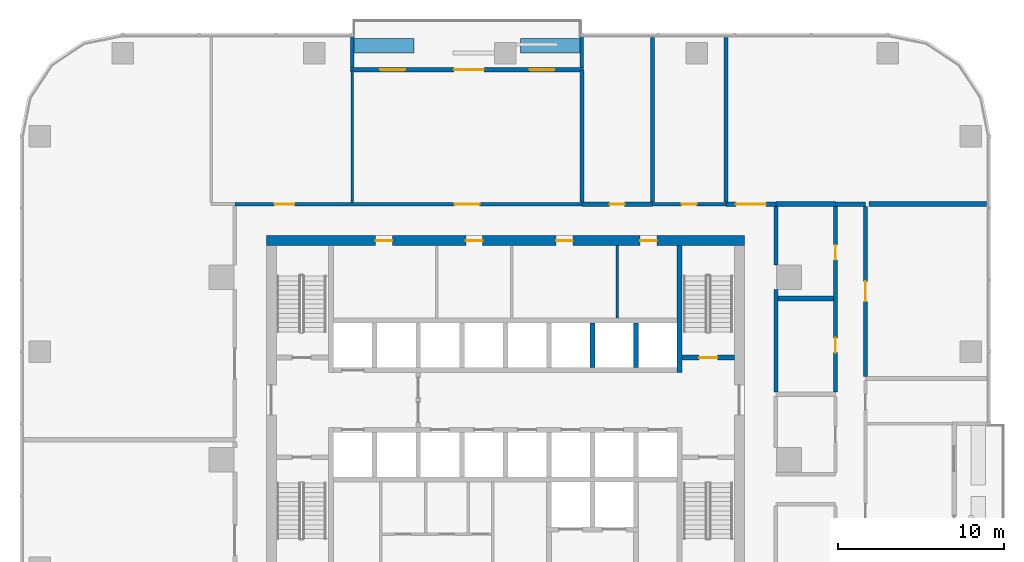
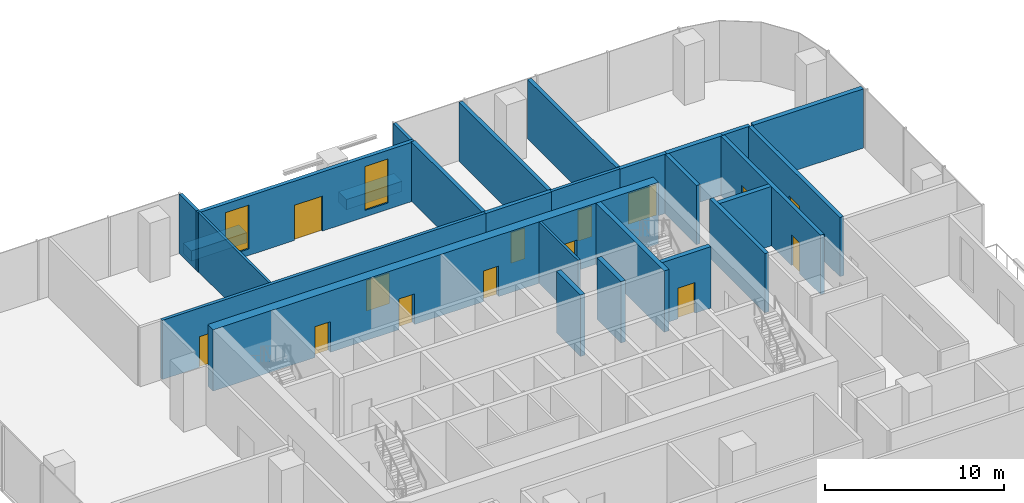
# One storey, part 10 of 14: 27 walls, 14 doors, 2 windows, 16 openings.
"""IFC4 building model written with IfcOpenShell, lengths in metres."""

from ifc_helpers import new_model, si_unit, direction, frame, frame_2d, origin, place, context, subcontext, project, spatial, rectangle, extrude, material, layer, layer_set, type_object, element, fill, save


model = new_model("IFC4")

# Units and contexts
model_context = context("Model", 3, precision=1e-05, world=origin(), true_north=direction((0.0, 1.0)))
body_context = subcontext(model_context, "Body", "Model", "MODEL_VIEW")
ifc_project = project(units=[si_unit("LENGTHUNIT", "METRE"), si_unit("AREAUNIT", "SQUARE_METRE"), si_unit("VOLUMEUNIT", "CUBIC_METRE"), si_unit("PLANEANGLEUNIT", "RADIAN"), si_unit("MASSUNIT", "GRAM", prefix="KILO")], contexts=[model_context])

# Site, building, storey
site_placement = place(None, origin())
site = spatial("IfcSite", under=ifc_project, at=site_placement, CompositionType="ELEMENT")
building_placement = place(site_placement, origin())
building = spatial("IfcBuilding", under=site, at=building_placement, Name="Mopane Tessera Tower", CompositionType="ELEMENT")
storey_placement = place(building_placement, frame((0.0, 0.0, 130.60009765625)))
storey = spatial("IfcBuildingStorey", under=building, at=storey_placement, Name="L26", CompositionType="ELEMENT", Elevation=130.60009765625)

# Wall
ifc_material_1 = material(Name="Fire-rated gypsum board partition")
ifc_layer_1 = layer(ifc_material_1, 0.14990234375)
ifc_layer_set_1 = layer_set([ifc_layer_1], Name="Fire-rated gypsum board partition")
wall_type_1 = type_object("IfcWallType", Name="Core room partition 150 mm", PredefinedType="PARTITIONING", material=ifc_layer_set_1)
wall_1_placement = place(storey_placement, frame((6.75, 8.550048828125, 0.0), z_axis=(0.0, 0.0, 1.0), x_axis=(0.0, 1.0, 0.0)))
element("IfcWall", 1, at=wall_1_placement, inside=storey, type_object=wall_type_1, Name="L26 Room partition", PredefinedType="PARTITIONING", context=body_context, shape_type="SweptSolid", body=[
    extrude(rectangle(XDim=4.349853515625, YDim=0.14990234375, at=frame_2d((2.1748046875, 0.0))), origin(), (0.0, 0.0, 1.0), 4.199951171875),
])

# Wall, openings, doors
ifc_material_2 = material(Name="Concrete C70/85", Category="concrete")
ifc_layer_2 = layer(ifc_material_2, 0.60009765625)
ifc_layer_set_2 = layer_set([ifc_layer_2], Name="Concrete C70/85")
wall_type_2 = type_object("IfcWallType", Name="Core shear wall 600 mm", PredefinedType="SHEAR", material=ifc_layer_set_2)
wall_2_placement = place(storey_placement, frame((-14.39990234375, 13.199951171875, 0.0), z_axis=(0.0, 0.0, 1.0), x_axis=(1.0, 0.0, 0.0)))
wall_2 = element("IfcWall", 2, at=wall_2_placement, inside=storey, type_object=wall_type_2, Name="L26 Core wall north", PredefinedType="SHEAR", context=body_context, shape_type="SweptSolid", body=[
    extrude(rectangle(XDim=28.7998046875, YDim=0.60009765625, at=frame_2d((14.39990234375, 0.0))), origin(), (0.0, 0.0, 1.0), 4.199951171875),
])
opening_1_placement = place(wall_2_placement, frame((6.58740234375, 0.0, 0.0)))
opening_1 = element("IfcOpeningElement", 3, at=opening_1_placement, cuts=wall_2, Name="Opening RD1", PredefinedType="OPENING", context=body_context, shape_type="SweptSolid", body=[
    extrude(rectangle(XDim=1.0, YDim=2.10009765625, at=frame_2d((0.5, 1.050048828125))), frame((0.0, 0.31201171875, 0.0), z_axis=(0.0, -1.0, 0.0), x_axis=(1.0, 0.0, 0.0)), (0.0, 0.0, 1.0), 0.6240234375),
])
opening_2_placement = place(wall_2_placement, frame((12.02490234375, 0.0, 0.0)))
opening_2 = element("IfcOpeningElement", 4, at=opening_2_placement, cuts=wall_2, Name="Opening RD1", PredefinedType="OPENING", context=body_context, shape_type="SweptSolid", body=[
    extrude(rectangle(XDim=1.0, YDim=2.10009765625, at=frame_2d((0.5, 1.050048828125))), frame((0.0, 0.31201171875, 0.0), z_axis=(0.0, -1.0, 0.0), x_axis=(1.0, 0.0, 0.0)), (0.0, 0.0, 1.0), 0.6240234375),
])
opening_3_placement = place(wall_2_placement, frame((17.46240234375, 0.0, 0.0)))
opening_3 = element("IfcOpeningElement", 5, at=opening_3_placement, cuts=wall_2, Name="Opening RD1", PredefinedType="OPENING", context=body_context, shape_type="SweptSolid", body=[
    extrude(rectangle(XDim=1.0, YDim=2.10009765625, at=frame_2d((0.5, 1.050048828125))), frame((0.0, 0.31201171875, 0.0), z_axis=(0.0, -1.0, 0.0), x_axis=(1.0, 0.0, 0.0)), (0.0, 0.0, 1.0), 0.6240234375),
])
opening_4_placement = place(wall_2_placement, frame((22.52490234375, 0.0, 0.0)))
opening_4 = element("IfcOpeningElement", 6, at=opening_4_placement, cuts=wall_2, Name="Opening RD1", PredefinedType="OPENING", context=body_context, shape_type="SweptSolid", body=[
    extrude(rectangle(XDim=1.0, YDim=2.10009765625, at=frame_2d((0.5, 1.050048828125))), frame((0.0, 0.31201171875, 0.0), z_axis=(0.0, -1.0, 0.0), x_axis=(1.0, 0.0, 0.0)), (0.0, 0.0, 1.0), 0.6240234375),
])
ifc_material_3 = material(Name="Timber door", Category="wood")
door_type_1 = type_object("IfcDoorType", Name="Core room door 1000 x 2100", OperationType="SINGLE_SWING_LEFT", PredefinedType="DOOR", material=ifc_material_3)
door_1_placement = place(opening_1_placement, origin())
door_1 = element("IfcDoor", 7, at=door_1_placement, inside=storey, type_object=door_type_1, Name="L26 Room door", OperationType="SINGLE_SWING_LEFT", OverallHeight=2.10009765625, OverallWidth=1.0, PredefinedType="DOOR", context=body_context, shape_type="SweptSolid", body=[
    extrude(rectangle(XDim=1.0, YDim=2.10009765625, at=frame_2d((0.5, 1.050048828125))), frame((0.0, 0.02490234375, 0.0), z_axis=(0.0, -1.0, 0.0), x_axis=(1.0, 0.0, 0.0)), (0.0, 0.0, 1.0), 0.050048828125),
])
fill(opening_1, door_1)
door_2_placement = place(opening_2_placement, origin())
door_2 = element("IfcDoor", 8, at=door_2_placement, inside=storey, type_object=door_type_1, Name="L26 Room door", OperationType="SINGLE_SWING_LEFT", OverallHeight=2.10009765625, OverallWidth=1.0, PredefinedType="DOOR", context=body_context, shape_type="SweptSolid", body=[
    extrude(rectangle(XDim=1.0, YDim=2.10009765625, at=frame_2d((0.5, 1.050048828125))), frame((0.0, 0.02490234375, 0.0), z_axis=(0.0, -1.0, 0.0), x_axis=(1.0, 0.0, 0.0)), (0.0, 0.0, 1.0), 0.050048828125),
])
fill(opening_2, door_2)
door_3_placement = place(opening_3_placement, origin())
door_3 = element("IfcDoor", 9, at=door_3_placement, inside=storey, type_object=door_type_1, Name="L26 Room door", OperationType="SINGLE_SWING_LEFT", OverallHeight=2.10009765625, OverallWidth=1.0, PredefinedType="DOOR", context=body_context, shape_type="SweptSolid", body=[
    extrude(rectangle(XDim=1.0, YDim=2.10009765625, at=frame_2d((0.5, 1.050048828125))), frame((0.0, 0.02490234375, 0.0), z_axis=(0.0, -1.0, 0.0), x_axis=(1.0, 0.0, 0.0)), (0.0, 0.0, 1.0), 0.050048828125),
])
fill(opening_3, door_3)
door_4_placement = place(opening_4_placement, origin())
door_4 = element("IfcDoor", 10, at=door_4_placement, inside=storey, type_object=door_type_1, Name="L26 Room door", OperationType="SINGLE_SWING_LEFT", OverallHeight=2.10009765625, OverallWidth=1.0, PredefinedType="DOOR", context=body_context, shape_type="SweptSolid", body=[
    extrude(rectangle(XDim=1.0, YDim=2.10009765625, at=frame_2d((0.5, 1.050048828125))), frame((0.0, 0.02490234375, 0.0), z_axis=(0.0, -1.0, 0.0), x_axis=(1.0, 0.0, 0.0)), (0.0, 0.0, 1.0), 0.050048828125),
])
fill(opening_4, door_4)

# Wall
ifc_material_4 = material(Name="Concrete C60/75", Category="concrete")
ifc_layer_3 = layer(ifc_material_4, 0.300048828125)
ifc_layer_set_3 = layer_set([ifc_layer_3], Name="Concrete C60/75")
wall_type_3 = type_object("IfcWallType", Name="Core spine wall 300 mm", PredefinedType="SHEAR", material=ifc_layer_set_3)
wall_3_placement = place(storey_placement, frame((10.5, 5.25, 0.0), z_axis=(0.0, 0.0, 1.0), x_axis=(0.0, 1.0, 0.0)))
element("IfcWall", 11, at=wall_3_placement, inside=storey, type_object=wall_type_3, Name="L26 Core spine wall", PredefinedType="SHEAR", context=body_context, shape_type="SweptSolid", body=[
    extrude(rectangle(XDim=7.64990234375, YDim=0.300048828125, at=frame_2d((3.824951171875, 0.0))), origin(), (0.0, 0.0, 1.0), 4.199951171875),
])

# Wall, openings, doors
ifc_material_5 = material(Name="Gypsum board on steel studs, two layers each face, mineral wool infill", Category="steel")
ifc_layer_4 = layer(ifc_material_5, 0.199951171875)
ifc_layer_set_4 = layer_set([ifc_layer_4], Name="Gypsum board on steel studs, two layers each face, mineral wool infill")
wall_type_4 = type_object("IfcWallType", Name="Gypsum board corridor wall 200, rated EI 60", PredefinedType="PARTITIONING", material=ifc_layer_set_4)
wall_4_placement = place(storey_placement, frame((-16.300048828125, 15.39990234375, 0.0), z_axis=(0.0, 0.0, 1.0), x_axis=(1.0, 0.0, 0.0)))
wall_4 = element("IfcWall", 12, at=wall_4_placement, inside=storey, type_object=wall_type_4, Name="Partition L26:025", PredefinedType="PARTITIONING", context=body_context, shape_type="SweptSolid", body=[
    extrude(rectangle(XDim=20.91015625, YDim=0.199951171875, at=frame_2d((10.455078125, 0.0))), origin(), (0.0, 0.0, 1.0), 4.0498046875),
])
opening_5_placement = place(wall_4_placement, frame((13.2451171875, 0.0, 0.0)))
opening_5 = element("IfcOpeningElement", 13, at=opening_5_placement, cuts=wall_4, Name="Opening L26-03", PredefinedType="OPENING", context=body_context, shape_type="SweptSolid", body=[
    extrude(rectangle(XDim=1.5, YDim=2.10009765625, at=frame_2d((0.75, 1.050048828125))), frame((0.0, 0.112060546875, 0.0), z_axis=(0.0, -1.0, 0.0), x_axis=(1.0, 0.0, 0.0)), (0.0, 0.0, 1.0), 0.223876953125),
])
opening_6_placement = place(wall_4_placement, frame((2.387451171875, 0.0, 0.0)))
opening_6 = element("IfcOpeningElement", 14, at=opening_6_placement, cuts=wall_4, Name="Opening L26-15", PredefinedType="OPENING", context=body_context, shape_type="SweptSolid", body=[
    extrude(rectangle(XDim=1.199951171875, YDim=2.10009765625, at=frame_2d((0.60009765625, 1.050048828125))), frame((0.0, 0.112060546875, 0.0), z_axis=(0.0, -1.0, 0.0), x_axis=(1.0, 0.0, 0.0)), (0.0, 0.0, 1.0), 0.223876953125),
])
ifc_material_6 = material(Name="Timber veneered steel-framed fire door", Category="steel")
door_type_2 = type_object("IfcDoorType", Name="Fire door FD60 1200 x 2100", OperationType="SINGLE_SWING_LEFT", PredefinedType="DOOR", material=ifc_material_6)
door_5_placement = place(opening_6_placement, origin())
door_5 = element("IfcDoor", 15, at=door_5_placement, inside=storey, type_object=door_type_2, Name="Door L26-15", ObjectType="D15A", OperationType="SINGLE_SWING_RIGHT", OverallHeight=2.10009765625, OverallWidth=1.199951171875, PredefinedType="DOOR", context=body_context, shape_type="SweptSolid", body=[
    extrude(rectangle(XDim=1.199951171875, YDim=2.10009765625, at=frame_2d((0.60009765625, 1.050048828125))), frame((0.0, 0.02490234375, 0.0), z_axis=(0.0, -1.0, 0.0), x_axis=(1.0, 0.0, 0.0)), (0.0, 0.0, 1.0), 0.050048828125),
])
fill(opening_6, door_5)
ifc_material_7 = material(Name="Timber veneered steel-framed fire door", Category="steel")
door_type_3 = type_object("IfcDoorType", Name="Fire door pair FD60 1500 x 2100", OperationType="DOUBLE_DOOR_SINGLE_SWING", PredefinedType="DOOR", material=ifc_material_7)
door_6_placement = place(opening_5_placement, origin())
door_6 = element("IfcDoor", 16, at=door_6_placement, inside=storey, type_object=door_type_3, Name="Door L26-03", ObjectType="D17A", OperationType="DOUBLE_DOOR_SINGLE_SWING", OverallHeight=2.10009765625, OverallWidth=1.5, PredefinedType="DOOR", context=body_context, shape_type="SweptSolid", body=[
    extrude(rectangle(XDim=1.5, YDim=2.10009765625, at=frame_2d((0.75, 1.050048828125))), frame((0.0, 0.02490234375, 0.0), z_axis=(0.0, -1.0, 0.0), x_axis=(1.0, 0.0, 0.0)), (0.0, 0.0, 1.0), 0.050048828125),
])
fill(opening_5, door_6)

# Wall, opening, door
wall_5_placement = place(storey_placement, frame((8.860107421875, 15.39990234375, 0.0), z_axis=(0.0, 0.0, 1.0), x_axis=(1.0, 0.0, 0.0)))
wall_5 = element("IfcWall", 17, at=wall_5_placement, inside=storey, type_object=wall_type_4, Name="Partition L26:026", PredefinedType="PARTITIONING", context=body_context, shape_type="SweptSolid", body=[
    extrude(rectangle(XDim=4.429931640625, YDim=0.199951171875, at=frame_2d((2.21484375, 0.0))), origin(), (0.0, 0.0, 1.0), 4.0498046875),
])
opening_7_placement = place(wall_5_placement, frame((1.764892578125, 0.0, 0.0)))
opening_7 = element("IfcOpeningElement", 18, at=opening_7_placement, cuts=wall_5, Name="Opening L26-21", PredefinedType="OPENING", context=body_context, shape_type="SweptSolid", body=[
    extrude(rectangle(XDim=0.89990234375, YDim=2.10009765625, at=frame_2d((0.449951171875, 1.050048828125))), frame((0.0, 0.112060546875, 0.0), z_axis=(0.0, -1.0, 0.0), x_axis=(1.0, 0.0, 0.0)), (0.0, 0.0, 1.0), 0.223876953125),
])
ifc_material_8 = material(Name="Timber veneered steel-framed fire door", Category="steel")
door_type_4 = type_object("IfcDoorType", Name="Fire door FD60 900 x 2100", OperationType="SINGLE_SWING_LEFT", PredefinedType="DOOR", material=ifc_material_8)
door_7_placement = place(opening_7_placement, origin())
door_7 = element("IfcDoor", 19, at=door_7_placement, inside=storey, type_object=door_type_4, Name="Door L26-21", ObjectType="D10A", OperationType="SINGLE_SWING_RIGHT", OverallHeight=2.10009765625, OverallWidth=0.89990234375, PredefinedType="DOOR", context=body_context, shape_type="SweptSolid", body=[
    extrude(rectangle(XDim=0.89990234375, YDim=2.10009765625, at=frame_2d((0.449951171875, 1.050048828125))), frame((0.0, 0.02490234375, 0.0), z_axis=(0.0, -1.0, 0.0), x_axis=(1.0, 0.0, 0.0)), (0.0, 0.0, 1.0), 0.050048828125),
])
fill(opening_7, door_7)

# Wall
ifc_material_9 = material(Name="Gypsum board on steel studs, mineral wool infill", Category="steel")
ifc_layer_5 = layer(ifc_material_9, 0.14990234375)
ifc_layer_set_5 = layer_set([ifc_layer_5], Name="Gypsum board on steel studs, mineral wool infill")
wall_type_5 = type_object("IfcWallType", Name="Gypsum board partition 150, rated EI 60", PredefinedType="PARTITIONING", material=ifc_layer_set_5)
wall_6_placement = place(storey_placement, frame((-9.219970703125, 15.5, 0.0), z_axis=(0.0, 0.0, 1.0), x_axis=(0.0, 1.0, 0.0)))
element("IfcWall", 20, at=wall_6_placement, inside=storey, type_object=wall_type_5, Name="Partition L26:039", PredefinedType="PARTITIONING", context=body_context, shape_type="SweptSolid", body=[
    extrude(rectangle(XDim=7.949951171875, YDim=0.14990234375, at=frame_2d((3.97509765625, 0.0))), origin(), (0.0, 0.0, 1.0), 4.0498046875),
])

# Wall, opening, door
ifc_material_10 = material(Name="Concrete C50/60", Category="concrete")
ifc_layer_6 = layer(ifc_material_10, 0.300048828125)
ifc_layer_set_6 = layer_set([ifc_layer_6], Name="Concrete C50/60")
wall_type_6 = type_object("IfcWallType", Name="Lift and stair shaft wall 300 mm", PredefinedType="SOLIDWALL", material=ifc_layer_set_6)
wall_7_placement = place(storey_placement, frame((10.64990234375, 6.14990234375, 0.0), z_axis=(0.0, 0.0, 1.0), x_axis=(1.0, 0.0, 0.0)))
wall_7 = element("IfcWall", 21, at=wall_7_placement, inside=storey, type_object=wall_type_6, Name="L26 Stair enclosure wall", PredefinedType="SOLIDWALL", context=body_context, shape_type="SweptSolid", body=[
    extrude(rectangle(XDim=3.150146484375, YDim=0.300048828125, at=frame_2d((1.5751953125, 0.0))), origin(), (0.0, 0.0, 1.0), 4.199951171875),
])
opening_8_placement = place(wall_7_placement, frame((1.02490234375, 0.0, 0.0)))
opening_8 = element("IfcOpeningElement", 22, at=opening_8_placement, cuts=wall_7, Name="Opening SD1", PredefinedType="OPENING", context=body_context, shape_type="SweptSolid", body=[
    extrude(rectangle(XDim=1.10009765625, YDim=2.10009765625, at=frame_2d((0.550048828125, 1.050048828125))), frame((0.0, 0.162109375, 0.0), z_axis=(0.0, -1.0, 0.0), x_axis=(1.0, 0.0, 0.0)), (0.0, 0.0, 1.0), 0.323974609375),
])
ifc_material_11 = material(Name="Steel fire door", Category="steel")
door_type_5 = type_object("IfcDoorType", Name="Stair fire door 1100 x 2100", OperationType="SINGLE_SWING_LEFT", PredefinedType="DOOR", material=ifc_material_11)
door_8_placement = place(opening_8_placement, origin())
door_8 = element("IfcDoor", 23, at=door_8_placement, inside=storey, type_object=door_type_5, Name="L26 Stair door ST4", OperationType="SINGLE_SWING_RIGHT", OverallHeight=2.10009765625, OverallWidth=1.10009765625, PredefinedType="DOOR", context=body_context, shape_type="SweptSolid", body=[
    extrude(rectangle(XDim=1.10009765625, YDim=2.10009765625, at=frame_2d((0.550048828125, 1.050048828125))), frame((0.0, 0.02490234375, 0.0), z_axis=(0.0, -1.0, 0.0), x_axis=(1.0, 0.0, 0.0)), (0.0, 0.0, 1.0), 0.050048828125),
])
fill(opening_8, door_8)

# Walls
for number, where, z_axis, x_axis, name in (
    (24, (5.25, 5.550048828125, 0.0), (0.0, 0.0, 1.0), (0.0, 1.0, 0.0), "L26 Lift shaft wall"),
    (25, (7.875, 5.550048828125, 0.0), (0.0, 0.0, 1.0), (0.0, 1.0, 0.0), "L26 Lift shaft wall"),
):
    element("IfcWall", number, at=place(storey_placement, frame(where, z_axis=z_axis, x_axis=x_axis)), inside=storey, type_object=wall_type_6, Name=name, PredefinedType="SOLIDWALL", context=body_context, shape_type="SweptSolid", body=[
        extrude(rectangle(XDim=2.699951171875, YDim=0.300048828125, at=frame_2d((1.35009765625, 0.0))), origin(), (0.0, 0.0, 1.0), 4.199951171875),
    ])
ifc_material_12 = material(Name="Reinforced concrete C32/40 with waterproofing", Category="concrete")
ifc_layer_7 = layer(ifc_material_12, 0.89990234375)
ifc_layer_set_7 = layer_set([ifc_layer_7], Name="Reinforced concrete C32/40 with waterproofing")
wall_type_7 = type_object("IfcWallType", Name="Planter trough 3600 x 900", PredefinedType="STANDARD", material=ifc_layer_set_7)
for number, where, z_axis, x_axis, name in (
    (26, (4.510009765625, 24.949951171875, 0.0), (0.0, 0.0, 1.0), (-1.0, 0.0, 0.0), "e:nw:L26:N1:pl0"),
    (27, (-5.52001953125, 24.949951171875, 0.0), (0.0, 0.0, 1.0), (-1.0, 0.0, 0.0), "e:nw:L26:N1:pl1"),
):
    element("IfcWall", number, at=place(storey_placement, frame(where, z_axis=z_axis, x_axis=x_axis)), inside=storey, type_object=wall_type_7, Name=name, PredefinedType="STANDARD", context=body_context, shape_type="SweptSolid", body=[
        extrude(rectangle(XDim=3.60009765625, YDim=0.89990234375, at=frame_2d((1.800048828125, 0.0))), origin(), (0.0, 0.0, 1.0), 0.699951171875),
    ])
ifc_material_13 = material(Name="Plastered concrete blockwork C20/25", Category="masonry")
ifc_layer_8 = layer(ifc_material_13, 0.300048828125)
ifc_layer_set_8 = layer_set([ifc_layer_8], Name="Plastered concrete blockwork C20/25")
wall_type_8 = type_object("IfcWallType", Name="Plastered blockwork separation wall 300, rated EI 120", PredefinedType="PARTITIONING", material=ifc_layer_set_8)
wall_8_placement = place(storey_placement, frame((16.425048828125, 9.72509765625, 0.0), z_axis=(0.0, 0.0, 1.0), x_axis=(1.0, 0.0, 0.0)))
element("IfcWall", 28, at=wall_8_placement, inside=storey, type_object=wall_type_8, Name="Partition L26:023", PredefinedType="PARTITIONING", context=body_context, shape_type="SweptSolid", body=[
    extrude(rectangle(XDim=3.349853515625, YDim=0.300048828125, at=frame_2d((1.6748046875, 0.0))), origin(), (0.0, 0.0, 1.0), 4.0498046875),
])
wall_9_placement = place(storey_placement, frame((16.300048828125, 15.39990234375, 0.0), z_axis=(0.0, 0.0, 1.0), x_axis=(1.0, 0.0, 0.0)))
element("IfcWall", 29, at=wall_9_placement, inside=storey, type_object=wall_type_8, Name="Partition L26:030", PredefinedType="PARTITIONING", context=body_context, shape_type="SweptSolid", body=[
    extrude(rectangle(XDim=3.599853515625, YDim=0.300048828125, at=frame_2d((1.7998046875, 0.0))), origin(), (0.0, 0.0, 1.0), 4.0498046875),
])
wall_10_placement = place(storey_placement, frame((21.905029296875, 15.39990234375, 0.0), z_axis=(0.0, 0.0, 1.0), x_axis=(1.0, 0.0, 0.0)))
element("IfcWall", 30, at=wall_10_placement, inside=storey, type_object=wall_type_8, Name="Partition L26:031", PredefinedType="PARTITIONING", context=body_context, shape_type="SweptSolid", body=[
    extrude(rectangle(XDim=7.094970703125, YDim=0.300048828125, at=frame_2d((3.54736328125, 0.0))), origin(), (0.0, 0.0, 1.0), 4.0498046875),
])

# Wall, opening, door
ifc_material_14 = material(Name="Plastered concrete blockwork C20/25", Category="masonry")
ifc_layer_9 = layer(ifc_material_14, 0.25)
ifc_layer_set_9 = layer_set([ifc_layer_9], Name="Plastered concrete blockwork C20/25")
wall_type_9 = type_object("IfcWallType", Name="Plastered blockwork wall 250, rated EI 120", PredefinedType="PARTITIONING", material=ifc_layer_set_9)
wall_11_placement = place(storey_placement, frame((4.610107421875, 15.39990234375, 0.0), z_axis=(0.0, 0.0, 1.0), x_axis=(1.0, 0.0, 0.0)))
wall_11 = element("IfcWall", 31, at=wall_11_placement, inside=storey, type_object=wall_type_9, Name="Partition L26:027", PredefinedType="PARTITIONING", context=body_context, shape_type="SweptSolid", body=[
    extrude(rectangle(XDim=4.25, YDim=0.25, at=frame_2d((2.125, 0.0))), origin(), (0.0, 0.0, 1.0), 4.0498046875),
])
opening_9_placement = place(wall_11_placement, frame((1.675048828125, 0.0, 0.0)))
opening_9 = element("IfcOpeningElement", 32, at=opening_9_placement, cuts=wall_11, Name="Opening L26-12", PredefinedType="OPENING", context=body_context, shape_type="SweptSolid", body=[
    extrude(rectangle(XDim=0.89990234375, YDim=2.10009765625, at=frame_2d((0.449951171875, 1.050048828125))), frame((0.0, 0.136962890625, 0.0), z_axis=(0.0, -1.0, 0.0), x_axis=(1.0, 0.0, 0.0)), (0.0, 0.0, 1.0), 0.27392578125),
])
ifc_material_15 = material(Name="Timber veneered steel-framed fire door", Category="steel")
door_type_6 = type_object("IfcDoorType", Name="Fire door FD120 900 x 2100", OperationType="SINGLE_SWING_LEFT", PredefinedType="DOOR", material=ifc_material_15)
door_9_placement = place(opening_9_placement, origin())
door_9 = element("IfcDoor", 33, at=door_9_placement, inside=storey, type_object=door_type_6, Name="Door L26-12", ObjectType="D10B", OperationType="SINGLE_SWING_RIGHT", OverallHeight=2.10009765625, OverallWidth=0.89990234375, PredefinedType="DOOR", context=body_context, shape_type="SweptSolid", body=[
    extrude(rectangle(XDim=0.89990234375, YDim=2.10009765625, at=frame_2d((0.449951171875, 1.050048828125))), frame((0.0, 0.02490234375, 0.0), z_axis=(0.0, -1.0, 0.0), x_axis=(1.0, 0.0, 0.0)), (0.0, 0.0, 1.0), 0.050048828125),
])
fill(opening_9, door_9)

wall_12_placement = place(storey_placement, frame((13.2900390625, 15.39990234375, 0.0), z_axis=(0.0, 0.0, 1.0), x_axis=(1.0, 0.0, 0.0)))
wall_12 = element("IfcWall", 34, at=wall_12_placement, inside=storey, type_object=wall_type_9, Name="Partition L26:028", PredefinedType="PARTITIONING", context=body_context, shape_type="SweptSolid", body=[
    extrude(rectangle(XDim=3.010009765625, YDim=0.25, at=frame_2d((1.5048828125, 0.0))), origin(), (0.0, 0.0, 1.0), 4.0498046875),
])
opening_10_placement = place(wall_12_placement, frame((0.60498046875, 0.0, 0.0)))
opening_10 = element("IfcOpeningElement", 35, at=opening_10_placement, cuts=wall_12, Name="Opening L26-18", PredefinedType="OPENING", context=body_context, shape_type="SweptSolid", body=[
    extrude(rectangle(XDim=1.800048828125, YDim=2.10009765625, at=frame_2d((0.89990234375, 1.050048828125))), frame((0.0, 0.136962890625, 0.0), z_axis=(0.0, -1.0, 0.0), x_axis=(1.0, 0.0, 0.0)), (0.0, 0.0, 1.0), 0.27392578125),
])
ifc_material_16 = material(Name="Timber veneered steel-framed fire door", Category="steel")
door_type_7 = type_object("IfcDoorType", Name="Fire door pair FD120 1800 x 2100", OperationType="DOUBLE_DOOR_SINGLE_SWING", PredefinedType="DOOR", material=ifc_material_16)
door_10_placement = place(opening_10_placement, origin())
door_10 = element("IfcDoor", 36, at=door_10_placement, inside=storey, type_object=door_type_7, Name="Door L26-18", ObjectType="D20B", OperationType="DOUBLE_DOOR_SINGLE_SWING", OverallHeight=2.10009765625, OverallWidth=1.800048828125, PredefinedType="DOOR", context=body_context, shape_type="SweptSolid", body=[
    extrude(rectangle(XDim=1.800048828125, YDim=2.10009765625, at=frame_2d((0.89990234375, 1.050048828125))), frame((0.0, 0.02490234375, 0.0), z_axis=(0.0, -1.0, 0.0), x_axis=(1.0, 0.0, 0.0)), (0.0, 0.0, 1.0), 0.050048828125),
])
fill(opening_10, door_10)

# Walls
wall_13_placement = place(storey_placement, frame((19.89990234375, 15.39990234375, 0.0), z_axis=(0.0, 0.0, 1.0), x_axis=(1.0, 0.0, 0.0)))
element("IfcWall", 37, at=wall_13_placement, inside=storey, type_object=wall_type_9, Name="Partition L26:029", PredefinedType="PARTITIONING", context=body_context, shape_type="SweptSolid", body=[
    extrude(rectangle(XDim=1.800048828125, YDim=0.25, at=frame_2d((0.89990234375, 0.0))), origin(), (0.0, 0.0, 1.0), 4.0498046875),
])
wall_14_placement = place(storey_placement, frame((4.610107421875, 15.52490234375, 0.0), z_axis=(0.0, 0.0, 1.0), x_axis=(0.0, 1.0, 0.0)))
element("IfcWall", 38, at=wall_14_placement, inside=storey, type_object=wall_type_9, Name="Partition L26:044", PredefinedType="PARTITIONING", context=body_context, shape_type="SweptSolid", body=[
    extrude(rectangle(XDim=7.925048828125, YDim=0.25, at=frame_2d((3.96240234375, 0.0))), origin(), (0.0, 0.0, 1.0), 4.0498046875),
])
for number, where, z_axis, x_axis, name in (
    (39, (8.860107421875, 15.52490234375, 0.0), (0.0, 0.0, 1.0), (0.0, 1.0, 0.0), "Partition L26:045"),
    (40, (13.2900390625, 15.52490234375, 0.0), (0.0, 0.0, 1.0), (0.0, 1.0, 0.0), "Partition L26:047"),
):
    element("IfcWall", number, at=place(storey_placement, frame(where, z_axis=z_axis, x_axis=x_axis)), inside=storey, type_object=wall_type_9, Name=name, PredefinedType="PARTITIONING", context=body_context, shape_type="SweptSolid", body=[
        extrude(rectangle(XDim=9.925048828125, YDim=0.25, at=frame_2d((4.96240234375, 0.0))), origin(), (0.0, 0.0, 1.0), 4.0498046875),
    ])
wall_15_placement = place(storey_placement, frame((16.300048828125, 4.070068359375, 0.0), z_axis=(0.0, 0.0, 1.0), x_axis=(0.0, 1.0, 0.0)))
element("IfcWall", 41, at=wall_15_placement, inside=storey, type_object=wall_type_9, Name="Partition L26:052", PredefinedType="PARTITIONING", context=body_context, shape_type="SweptSolid", body=[
    extrude(rectangle(XDim=6.179931640625, YDim=0.25, at=frame_2d((3.08984375, 0.0))), origin(), (0.0, 0.0, 1.0), 4.0498046875),
])
wall_16_placement = place(storey_placement, frame((16.300048828125, 11.75, 0.0), z_axis=(0.0, 0.0, 1.0), x_axis=(0.0, 1.0, 0.0)))
element("IfcWall", 42, at=wall_16_placement, inside=storey, type_object=wall_type_9, Name="Partition L26:053", PredefinedType="PARTITIONING", context=body_context, shape_type="SweptSolid", body=[
    extrude(rectangle(XDim=3.5, YDim=0.25, at=frame_2d((1.75, 0.0))), origin(), (0.0, 0.0, 1.0), 4.0498046875),
])

# Wall, openings, doors
wall_17_placement = place(storey_placement, frame((19.89990234375, 4.070068359375, 0.0), z_axis=(0.0, 0.0, 1.0), x_axis=(0.0, 1.0, 0.0)))
wall_17 = element("IfcWall", 43, at=wall_17_placement, inside=storey, type_object=wall_type_9, Name="Partition L26:056", PredefinedType="PARTITIONING", context=body_context, shape_type="SweptSolid", body=[
    extrude(rectangle(XDim=11.179931640625, YDim=0.25, at=frame_2d((5.58984375, 0.0))), origin(), (0.0, 0.0, 1.0), 4.0498046875),
])
opening_11_placement = place(wall_17_placement, frame((2.37744140625, 0.0, 0.0)))
opening_11 = element("IfcOpeningElement", 44, at=opening_11_placement, cuts=wall_17, Name="Opening L26-01", PredefinedType="OPENING", context=body_context, shape_type="SweptSolid", body=[
    extrude(rectangle(XDim=0.89990234375, YDim=2.10009765625, at=frame_2d((0.449951171875, 1.050048828125))), frame((0.0, 0.136962890625, 0.0), z_axis=(0.0, -1.0, 0.0), x_axis=(1.0, 0.0, 0.0)), (0.0, 0.0, 1.0), 0.27392578125),
])
opening_12_placement = place(wall_17_placement, frame((7.967529296875, 0.0, 0.0)))
opening_12 = element("IfcOpeningElement", 45, at=opening_12_placement, cuts=wall_17, Name="Opening L26-13", PredefinedType="OPENING", context=body_context, shape_type="SweptSolid", body=[
    extrude(rectangle(XDim=0.89990234375, YDim=2.10009765625, at=frame_2d((0.449951171875, 1.050048828125))), frame((0.0, 0.136962890625, 0.0), z_axis=(0.0, -1.0, 0.0), x_axis=(1.0, 0.0, 0.0)), (0.0, 0.0, 1.0), 0.27392578125),
])
door_11_placement = place(opening_11_placement, origin())
door_11 = element("IfcDoor", 46, at=door_11_placement, inside=storey, type_object=door_type_6, Name="Door L26-01", ObjectType="D10B", OperationType="SINGLE_SWING_LEFT", OverallHeight=2.10009765625, OverallWidth=0.89990234375, PredefinedType="DOOR", context=body_context, shape_type="SweptSolid", body=[
    extrude(rectangle(XDim=0.89990234375, YDim=2.10009765625, at=frame_2d((0.449951171875, 1.050048828125))), frame((0.0, 0.02490234375, 0.0), z_axis=(0.0, -1.0, 0.0), x_axis=(1.0, 0.0, 0.0)), (0.0, 0.0, 1.0), 0.050048828125),
])
fill(opening_11, door_11)
door_12_placement = place(opening_12_placement, origin())
door_12 = element("IfcDoor", 47, at=door_12_placement, inside=storey, type_object=door_type_6, Name="Door L26-13", ObjectType="D10B", OperationType="SINGLE_SWING_LEFT", OverallHeight=2.10009765625, OverallWidth=0.89990234375, PredefinedType="DOOR", context=body_context, shape_type="SweptSolid", body=[
    extrude(rectangle(XDim=0.89990234375, YDim=2.10009765625, at=frame_2d((0.449951171875, 1.050048828125))), frame((0.0, 0.02490234375, 0.0), z_axis=(0.0, -1.0, 0.0), x_axis=(1.0, 0.0, 0.0)), (0.0, 0.0, 1.0), 0.050048828125),
])
fill(opening_12, door_12)

# Wall, opening, door
wall_18_placement = place(storey_placement, frame((21.699951171875, 5.02490234375, 0.0), z_axis=(0.0, 0.0, 1.0), x_axis=(0.0, 1.0, 0.0)))
wall_18 = element("IfcWall", 48, at=wall_18_placement, inside=storey, type_object=wall_type_9, Name="Partition L26:059", PredefinedType="PARTITIONING", context=body_context, shape_type="SweptSolid", body=[
    extrude(rectangle(XDim=10.25, YDim=0.25, at=frame_2d((5.125, 0.0))), origin(), (0.0, 0.0, 1.0), 4.0498046875),
])
opening_13_placement = place(wall_18_placement, frame((4.52490234375, 0.0, 0.0)))
opening_13 = element("IfcOpeningElement", 49, at=opening_13_placement, cuts=wall_18, Name="Opening L26-08", PredefinedType="OPENING", context=body_context, shape_type="SweptSolid", body=[
    extrude(rectangle(XDim=1.199951171875, YDim=2.10009765625, at=frame_2d((0.60009765625, 1.050048828125))), frame((0.0, 0.136962890625, 0.0), z_axis=(0.0, -1.0, 0.0), x_axis=(1.0, 0.0, 0.0)), (0.0, 0.0, 1.0), 0.27392578125),
])
ifc_material_17 = material(Name="Timber veneered steel-framed fire door", Category="steel")
door_type_8 = type_object("IfcDoorType", Name="Fire door FD120 1200 x 2100", OperationType="SINGLE_SWING_LEFT", PredefinedType="DOOR", material=ifc_material_17)
door_13_placement = place(opening_13_placement, origin())
door_13 = element("IfcDoor", 50, at=door_13_placement, inside=storey, type_object=door_type_8, Name="Door L26-08", ObjectType="D15B", OperationType="SINGLE_SWING_LEFT", OverallHeight=2.10009765625, OverallWidth=1.199951171875, PredefinedType="DOOR", context=body_context, shape_type="SweptSolid", body=[
    extrude(rectangle(XDim=1.199951171875, YDim=2.10009765625, at=frame_2d((0.60009765625, 1.050048828125))), frame((0.0, 0.02490234375, 0.0), z_axis=(0.0, -1.0, 0.0), x_axis=(1.0, 0.0, 0.0)), (0.0, 0.0, 1.0), 0.050048828125),
])
fill(opening_13, door_13)

# Walls
ifc_material_18 = material(Name="Blockwork with glazed tile facing", Category="masonry")
ifc_layer_10 = layer(ifc_material_18, 0.199951171875)
ifc_layer_set_10 = layer_set([ifc_layer_10], Name="Blockwork with glazed tile facing")
wall_type_10 = type_object("IfcWallType", Name="Terrace cheek wall 200", PredefinedType="STANDARD", material=ifc_layer_set_10)
for number, where, z_axis, x_axis, name in (
    (51, (4.610107421875, 25.5, 0.0), (0.0, 0.0, 1.0), (0.0, -1.0, 0.0), "e:nw:L26:N1:cheeka"),
    (52, (-9.219970703125, 25.5, 0.0), (0.0, 0.0, 1.0), (0.0, -1.0, 0.0), "e:nw:L26:N1:cheekb"),
):
    element("IfcWall", number, at=place(storey_placement, frame(where, z_axis=z_axis, x_axis=x_axis)), inside=storey, type_object=wall_type_10, Name=name, PredefinedType="STANDARD", context=body_context, shape_type="SweptSolid", body=[
        extrude(rectangle(XDim=1.875, YDim=0.199951171875, at=frame_2d((0.9375, 0.0))), origin(), (0.0, 0.0, 1.0), 4.0498046875),
    ])

# Wall, openings, windows, door
ifc_material_19 = material(Name="Blockwork with ultramarine glazed tile facing", Category="masonry")
ifc_layer_11 = layer(ifc_material_19, 0.25)
ifc_layer_set_11 = layer_set([ifc_layer_11], Name="Blockwork with ultramarine glazed tile facing")
wall_type_11 = type_object("IfcWallType", Name="Tile-clad external wall 250, ultramarine", PredefinedType="STANDARD", material=ifc_layer_set_11)
wall_19_placement = place(storey_placement, frame((4.7099609375, 23.5, 0.0), z_axis=(0.0, 0.0, 1.0), x_axis=(-1.0, 0.0, 0.0)))
wall_19 = element("IfcWall", 53, at=wall_19_placement, inside=storey, type_object=wall_type_11, Name="e:nw:L26:N1:back", PredefinedType="STANDARD", context=body_context, shape_type="SweptSolid", body=[
    extrude(rectangle(XDim=14.030029296875, YDim=0.25, at=frame_2d((7.01513671875, 0.0))), origin(), (0.0, 0.0, 1.0), 4.0498046875),
])
opening_14_placement = place(wall_19_placement, frame((1.75, 0.0, 0.449951171875)))
opening_14 = element("IfcOpeningElement", 54, at=opening_14_placement, cuts=wall_19, Name="Opening NW261A", PredefinedType="OPENING", context=body_context, shape_type="SweptSolid", body=[
    extrude(rectangle(XDim=1.5, YDim=3.0, at=frame_2d((0.75, 1.5))), frame((0.0, 0.136962890625, 0.0), z_axis=(0.0, -1.0, 0.0), x_axis=(1.0, 0.0, 0.0)), (0.0, 0.0, 1.0), 0.27392578125),
])
opening_15_placement = place(wall_19_placement, frame((6.0, 0.0, 0.0)))
opening_15 = element("IfcOpeningElement", 55, at=opening_15_placement, cuts=wall_19, Name="Opening ND261", PredefinedType="OPENING", context=body_context, shape_type="SweptSolid", body=[
    extrude(rectangle(XDim=1.800048828125, YDim=2.39990234375, at=frame_2d((0.89990234375, 1.199951171875))), frame((0.0, 0.136962890625, 0.0), z_axis=(0.0, -1.0, 0.0), x_axis=(1.0, 0.0, 0.0)), (0.0, 0.0, 1.0), 0.27392578125),
])
opening_16_placement = place(wall_19_placement, frame((10.75, 0.0, 0.449951171875)))
opening_16 = element("IfcOpeningElement", 56, at=opening_16_placement, cuts=wall_19, Name="Opening NW261B", PredefinedType="OPENING", context=body_context, shape_type="SweptSolid", body=[
    extrude(rectangle(XDim=1.5, YDim=3.0, at=frame_2d((0.75, 1.5))), frame((0.0, 0.136962890625, 0.0), z_axis=(0.0, -1.0, 0.0), x_axis=(1.0, 0.0, 0.0)), (0.0, 0.0, 1.0), 0.27392578125),
])
ifc_material_20 = material(Name="Clear laminated glass", Category="glass")
window_type = type_object("IfcWindowType", Name="Fixed window 1500 x 3000", PartitioningType="SINGLE_PANEL", PredefinedType="WINDOW", material=ifc_material_20)
window_1_placement = place(opening_14_placement, origin())
window_1 = element("IfcWindow", 57, at=window_1_placement, inside=storey, type_object=window_type, Name="e:nw:L26:N1:win0", OverallHeight=3.0, OverallWidth=1.5, PartitioningType="SINGLE_PANEL", PredefinedType="WINDOW", context=body_context, shape_type="SweptSolid", body=[
    extrude(rectangle(XDim=1.5, YDim=3.0, at=frame_2d((0.75, 1.5))), frame((0.0, 0.030029296875, 0.0), z_axis=(0.0, -1.0, 0.0), x_axis=(1.0, 0.0, 0.0)), (0.0, 0.0, 1.0), 0.06005859375),
])
fill(opening_14, window_1)
window_2_placement = place(opening_16_placement, origin())
window_2 = element("IfcWindow", 58, at=window_2_placement, inside=storey, type_object=window_type, Name="e:nw:L26:N1:win2", OverallHeight=3.0, OverallWidth=1.5, PartitioningType="SINGLE_PANEL", PredefinedType="WINDOW", context=body_context, shape_type="SweptSolid", body=[
    extrude(rectangle(XDim=1.5, YDim=3.0, at=frame_2d((0.75, 1.5))), frame((0.0, 0.030029296875, 0.0), z_axis=(0.0, -1.0, 0.0), x_axis=(1.0, 0.0, 0.0)), (0.0, 0.0, 1.0), 0.06005859375),
])
fill(opening_16, window_2)
ifc_material_21 = material(Name="Aluminium and clear glass", Category="aluminium")
door_type_9 = type_object("IfcDoorType", Name="Terrace double door 1800 x 2400", OperationType="DOUBLE_DOOR_SINGLE_SWING", PredefinedType="DOOR", material=ifc_material_21)
door_14_placement = place(opening_15_placement, origin())
door_14 = element("IfcDoor", 59, at=door_14_placement, inside=storey, type_object=door_type_9, Name="e:nw:L26:N1:door", ObjectType="D1", OperationType="DOUBLE_DOOR_SINGLE_SWING", OverallHeight=2.39990234375, OverallWidth=1.800048828125, PredefinedType="DOOR", context=body_context, shape_type="SweptSolid", body=[
    extrude(rectangle(XDim=1.800048828125, YDim=2.39990234375, at=frame_2d((0.89990234375, 1.199951171875))), frame((0.0, 0.02490234375, 0.0), z_axis=(0.0, -1.0, 0.0), x_axis=(1.0, 0.0, 0.0)), (0.0, 0.0, 1.0), 0.050048828125),
])
fill(opening_15, door_14)

save(model, "model.ifc")
